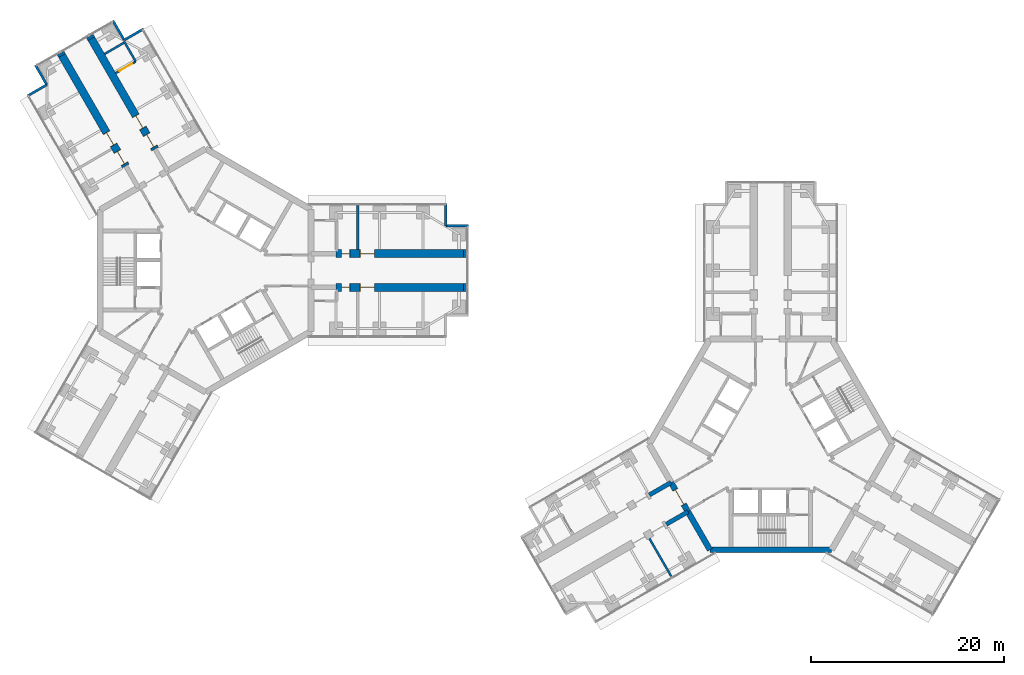
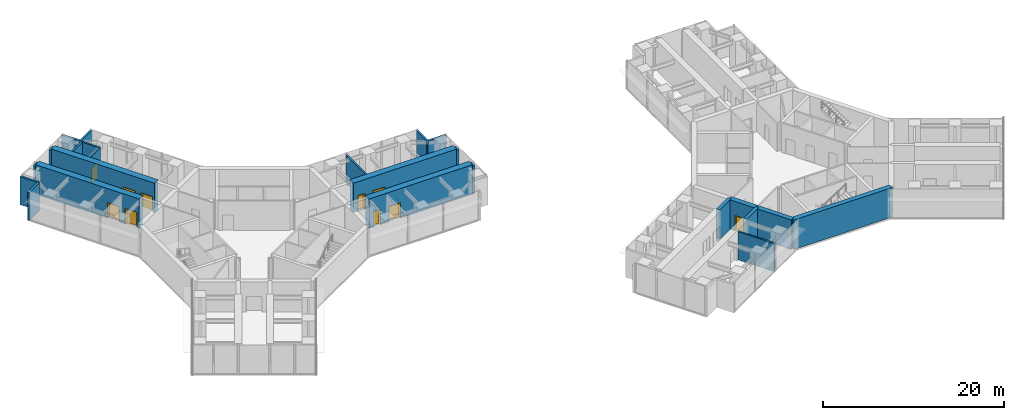
# One storey, part 17 of 21: 24 walls, 10 doors, 10 openings.
"""IFC4 building model written with IfcOpenShell, lengths in metres."""

from ifc_helpers import new_model, si_unit, direction, frame, frame_2d, origin, place, context, subcontext, project, spatial, rectangle, extrude, material, layer, layer_set, type_object, element, fill, save


model = new_model("IFC4")

# Units and contexts
model_context = context("Model", 3, precision=1e-05, world=origin(), true_north=direction((0.0, 1.0)))
body_context = subcontext(model_context, "Body", "Model", "MODEL_VIEW")
ifc_project = project(units=[si_unit("LENGTHUNIT", "METRE"), si_unit("AREAUNIT", "SQUARE_METRE"), si_unit("VOLUMEUNIT", "CUBIC_METRE"), si_unit("PLANEANGLEUNIT", "RADIAN"), si_unit("MASSUNIT", "GRAM", prefix="KILO")], contexts=[model_context])

# Site, building, storey
site_placement = place(None, origin())
site = spatial("IfcSite", under=ifc_project, at=site_placement, CompositionType="ELEMENT")
building_placement = place(site_placement, origin())
building = spatial("IfcBuilding", under=site, at=building_placement, Name="Upepo Twin Towers", CompositionType="ELEMENT")
storey_placement = place(building_placement, frame((0.0, 0.0, 109.5)))
storey = spatial("IfcBuildingStorey", under=building, at=storey_placement, Name="L26", CompositionType="ELEMENT", Elevation=109.5)

# Walls
ifc_material_1 = material(Name="Concrete blockwork, plastered both faces", Category="masonry")
ifc_layer_1 = layer(ifc_material_1, 0.215087890625)
ifc_layer_set_1 = layer_set([ifc_layer_1], Name="Blockwork partition 215")
wall_type_1 = type_object("IfcWallType", Name="Blockwork partition 215", PredefinedType="PARTITIONING", material=ifc_layer_set_1)
wall_1_placement = place(storey_placement, frame((15.75, 2.14990234375, 0.0), z_axis=(0.0, 0.0, 1.0), x_axis=(0.0, 1.0, 0.0)))
element("IfcWall", 1, at=wall_1_placement, inside=storey, type_object=wall_type_1, Name="T1 partition AL at 15.75", PredefinedType="PARTITIONING", context=body_context, shape_type="SweptSolid", body=[
    extrude(rectangle(XDim=4.60009765625, YDim=0.215087890625, at=frame_2d((2.300048828125, 0.0))), origin(), (0.0, 0.0, 1.0), 3.800048828125),
])
wall_2_placement = place(storey_placement, frame((-7.234619140625, 21.630615234375, 0.0), z_axis=(0.0, 0.0, 1.0), x_axis=(-0.499957262057, 0.866050077142, 0.0)))
element("IfcWall", 2, at=wall_2_placement, inside=storey, type_object=wall_type_1, Name="T1 inner room partition BR at 22.35", PredefinedType="PARTITIONING", context=body_context, shape_type="SweptSolid", body=[
    extrude(rectangle(XDim=2.400146484375, YDim=0.215087890625, at=frame_2d((1.2001953125, 0.0))), origin(), (0.0, 0.0, 1.0), 3.800048828125),
])

# Wall, opening, door
wall_3_placement = place(storey_placement, frame((-9.31298828125, 20.4306640625, 0.0), z_axis=(0.0, 0.0, 1.0), x_axis=(0.866024647952, 0.500001309137, 0.0)))
wall_3 = element("IfcWall", 3, at=wall_3_placement, inside=storey, type_object=wall_type_1, Name="T1 inner room partition BR end at 22.35", PredefinedType="PARTITIONING", context=body_context, shape_type="SweptSolid", body=[
    extrude(rectangle(XDim=2.39990234375, YDim=0.215087890625, at=frame_2d((1.199951171875, 0.0))), origin(), (0.0, 0.0, 1.0), 3.800048828125),
])
opening_1_placement = place(wall_3_placement, frame((0.449951171875, 0.0, 0.0)))
opening_1 = element("IfcOpeningElement", 4, at=opening_1_placement, cuts=wall_3, Name="Opening D13", PredefinedType="OPENING", context=body_context, shape_type="SweptSolid", body=[
    extrude(rectangle(XDim=1.5, YDim=2.10009765625, at=frame_2d((0.75, 1.050048828125))), frame((0.0, 0.117431640625, 0.0), z_axis=(0.0, -1.0, 0.0), x_axis=(1.0, 0.0, 0.0)), (0.0, 0.0, 1.0), 0.235107421875),
])
ifc_material_2 = material(Name="Timber doorset", Category="wood")
door_type_1 = type_object("IfcDoorType", Name="Double door 1500 FD30", OperationType="DOUBLE_DOOR_SINGLE_SWING", PredefinedType="DOOR", material=ifc_material_2)
door_1_placement = place(opening_1_placement, origin())
door_1 = element("IfcDoor", 5, at=door_1_placement, inside=storey, type_object=door_type_1, Name="T1 L26 inner room door", OperationType="DOUBLE_DOOR_SINGLE_SWING", OverallHeight=2.10009765625, OverallWidth=1.5, PredefinedType="DOOR", context=body_context, shape_type="SweptSolid", body=[
    extrude(rectangle(XDim=1.5, YDim=2.10009765625, at=frame_2d((0.75, 1.050048828125))), frame((0.0, 0.02490234375, 0.0), z_axis=(0.0, -1.0, 0.0), x_axis=(1.0, 0.0, 0.0)), (0.0, 0.0, 1.0), 0.050048828125),
])
fill(opening_1, door_1)

# Walls
wall_4_placement = place(storey_placement, frame((-10.459228515625, 22.416015625, 0.0), z_axis=(0.0, 0.0, 1.0), x_axis=(0.866024647952, 0.500001309137, 0.0)))
element("IfcWall", 6, at=wall_4_placement, inside=storey, type_object=wall_type_1, Name="T1 inner room partition BR end at 24.75", PredefinedType="PARTITIONING", context=body_context, shape_type="SweptSolid", body=[
    extrude(rectangle(XDim=2.39990234375, YDim=0.215087890625, at=frame_2d((1.199951171875, 0.0))), origin(), (0.0, 0.0, 1.0), 3.800048828125),
])
wall_5_placement = place(storey_placement, frame((45.93505859375, -27.737060546875, 0.0), z_axis=(0.0, 0.0, 1.0), x_axis=(0.500014953309, -0.866016770315, 0.0)))
element("IfcWall", 7, at=wall_5_placement, inside=storey, type_object=wall_type_1, Name="T2 partition BL at 15.75", PredefinedType="PARTITIONING", context=body_context, shape_type="SweptSolid", body=[
    extrude(rectangle(XDim=4.599853515625, YDim=0.215087890625, at=frame_2d((2.2998046875, 0.0))), origin(), (0.0, 0.0, 1.0), 3.800048828125),
])
ifc_material_3 = material(Name="Dense concrete blockwork", Category="masonry")
ifc_layer_2 = layer(ifc_material_3, 0.800048828125)
ifc_layer_set_2 = layer_set([ifc_layer_2], Name="Buttress closer 800, blockwork with fire-stopping to the curtain wall")
wall_type_2 = type_object("IfcWallType", Name="Buttress closer 800, blockwork with fire-stopping to the curtain wall", PredefinedType="PARTITIONING", material=ifc_layer_set_2)
for number, where, z_axis, x_axis, name in (
    (8, (26.699951171875, 1.75, 0.0), (0.0, 0.0, 1.0), (1.0, 0.0, 0.0), "T1 L26 wing A buttress closer L"),
    (9, (26.699951171875, -1.75, 0.0), (0.0, 0.0, 1.0), (1.0, 0.0, 0.0), "T1 L26 wing A buttress closer R"),
    (10, (-14.865478515625, 22.247802734375, 0.0), (0.0, 0.0, 1.0), (-0.500426713919, 0.865778900179, 0.0), "T1 L26 wing B buttress closer L"),
):
    element("IfcWall", number, at=place(storey_placement, frame(where, z_axis=z_axis, x_axis=x_axis)), inside=storey, type_object=wall_type_2, Name=name, PredefinedType="PARTITIONING", context=body_context, shape_type="SweptSolid", body=[
        extrude(rectangle(XDim=0.300048828125, YDim=0.800048828125, at=frame_2d((0.14990234375, 0.0))), origin(), (0.0, 0.0, 1.0), 3.800048828125),
    ])
wall_6_placement = place(storey_placement, frame((-11.83447265625, 23.997802734375, 0.0), z_axis=(0.0, 0.0, 1.0), x_axis=(-0.499816412211, 0.866131372301, 0.0)))
element("IfcWall", 11, at=wall_6_placement, inside=storey, type_object=wall_type_2, Name="T1 L26 wing B buttress closer R", PredefinedType="PARTITIONING", context=body_context, shape_type="SweptSolid", body=[
    extrude(rectangle(XDim=0.2998046875, YDim=0.800048828125, at=frame_2d((0.14990234375, 0.0))), origin(), (0.0, 0.0, 1.0), 3.800048828125),
])
ifc_material_4 = material(Name="Concrete C60/75", Category="concrete")
ifc_layer_3 = layer(ifc_material_4, 0.449951171875)
ifc_layer_set_3 = layer_set([ifc_layer_3], Name="Concrete C60/75")
wall_type_3 = type_object("IfcWallType", Name="Buttress wall 450 RC", PredefinedType="SHEAR", material=ifc_layer_set_3)
for number, where, z_axis, x_axis, name in (
    (12, (49.92822265625, -24.9697265625, 0.0), (0.0, 0.0, 1.0), (-0.866031863473, -0.499988811324, 0.0), "T2 wing B buttress wall L"),
    (13, (48.17822265625, -21.938720703125, 0.0), (0.0, 0.0, 1.0), (-0.866072649678, -0.499918158782, 0.0), "T2 wing B buttress wall R"),
):
    element("IfcWall", number, at=place(storey_placement, frame(where, z_axis=z_axis, x_axis=x_axis)), inside=storey, type_object=wall_type_3, Name=name, PredefinedType="SHEAR", context=body_context, shape_type="SweptSolid", body=[
        extrude(rectangle(XDim=2.591796875, YDim=0.449951171875, at=frame_2d((1.2958984375, 0.0))), origin(), (0.0, 0.0, 1.0), 4.0),
    ])

# Wall, openings, doors
ifc_material_5 = material(Name="Concrete C60/75", Category="concrete")
ifc_layer_4 = layer(ifc_material_5, 0.800048828125)
ifc_layer_set_4 = layer_set([ifc_layer_4], Name="Concrete C60/75")
wall_type_4 = type_object("IfcWallType", Name="Buttress wall 800 RC", PredefinedType="SHEAR", material=ifc_layer_set_4)
wall_7_placement = place(storey_placement, frame((13.5, 1.75, 0.0), z_axis=(0.0, 0.0, 1.0), x_axis=(1.0, 0.0, 0.0)))
wall_7 = element("IfcWall", 14, at=wall_7_placement, inside=storey, type_object=wall_type_4, Name="T1 wing A buttress wall L part 2", PredefinedType="SHEAR", context=body_context, shape_type="SweptSolid", body=[
    extrude(rectangle(XDim=13.199951171875, YDim=0.800048828125, at=frame_2d((6.60009765625, 0.0))), origin(), (0.0, 0.0, 1.0), 4.0),
])
opening_2_placement = place(wall_7_placement, frame((0.550048828125, 0.0, 0.0)))
opening_2 = element("IfcOpeningElement", 15, at=opening_2_placement, cuts=wall_7, Name="Opening D11", PredefinedType="OPENING", context=body_context, shape_type="SweptSolid", body=[
    extrude(rectangle(XDim=0.89990234375, YDim=2.10009765625, at=frame_2d((0.449951171875, 1.050048828125))), frame((0.0, 0.409912109375, 0.0), z_axis=(0.0, -1.0, 0.0), x_axis=(1.0, 0.0, 0.0)), (0.0, 0.0, 1.0), 0.820068359375),
])
opening_3_placement = place(wall_7_placement, frame((2.5, 0.0, 0.0)))
opening_3 = element("IfcOpeningElement", 16, at=opening_3_placement, cuts=wall_7, Name="Opening D13", PredefinedType="OPENING", context=body_context, shape_type="SweptSolid", body=[
    extrude(rectangle(XDim=1.5, YDim=2.10009765625, at=frame_2d((0.75, 1.050048828125))), frame((0.0, 0.409912109375, 0.0), z_axis=(0.0, -1.0, 0.0), x_axis=(1.0, 0.0, 0.0)), (0.0, 0.0, 1.0), 0.820068359375),
])
door_2_placement = place(opening_3_placement, origin())
door_2 = element("IfcDoor", 17, at=door_2_placement, inside=storey, type_object=door_type_1, Name="T1 L26 research laboratory door", OperationType="DOUBLE_DOOR_SINGLE_SWING", OverallHeight=2.10009765625, OverallWidth=1.5, PredefinedType="DOOR", context=body_context, shape_type="SweptSolid", body=[
    extrude(rectangle(XDim=1.42, YDim=2.06009765625, at=frame_2d((0.75, 1.030029296875))), frame((0.0, 0.02490234375, 0.0), z_axis=(0.0, -1.0, 0.0), x_axis=(1.0, 0.0, 0.0)), (0.0, 0.0, 1.0), 0.050048828125),
    extrude(rectangle(XDim=0.04, YDim=2.10009765625, at=frame_2d((0.02001953125, 1.050048828125))), frame((0.0, 0.39990234375, 0.0), z_axis=(0.0, -1.0, 0.0), x_axis=(1.0, 0.0, 0.0)), (0.0, 0.0, 1.0), 0.799560546875),
    extrude(rectangle(XDim=0.04, YDim=2.10009765625, at=frame_2d((1.47998046875, 1.050048828125))), frame((0.0, 0.39990234375, 0.0), z_axis=(0.0, -1.0, 0.0), x_axis=(1.0, 0.0, 0.0)), (0.0, 0.0, 1.0), 0.799560546875),
    extrude(rectangle(XDim=1.42, YDim=0.04, at=frame_2d((0.75, 2.080078125))), frame((0.0, 0.39990234375, 0.0), z_axis=(0.0, -1.0, 0.0), x_axis=(1.0, 0.0, 0.0)), (0.0, 0.0, 1.0), 0.799560546875),
])
fill(opening_3, door_2)
ifc_material_6 = material(Name="Timber doorset", Category="wood")
door_type_2 = type_object("IfcDoorType", Name="Toilet door 900", OperationType="SINGLE_SWING_LEFT", PredefinedType="DOOR", material=ifc_material_6)
door_3_placement = place(opening_2_placement, origin())
door_3 = element("IfcDoor", 18, at=door_3_placement, inside=storey, type_object=door_type_2, Name="T1 L26 accessible wc door", OperationType="SINGLE_SWING_LEFT", OverallHeight=2.10009765625, OverallWidth=0.89990234375, PredefinedType="DOOR", context=body_context, shape_type="SweptSolid", body=[
    extrude(rectangle(XDim=0.81990234375, YDim=2.06009765625, at=frame_2d((0.449951171875, 1.030029296875))), frame((0.0, 0.02490234375, 0.0), z_axis=(0.0, -1.0, 0.0), x_axis=(1.0, 0.0, 0.0)), (0.0, 0.0, 1.0), 0.050048828125),
    extrude(rectangle(XDim=0.04, YDim=2.10009765625, at=frame_2d((0.02001953125, 1.050048828125))), frame((0.0, 0.39990234375, 0.0), z_axis=(0.0, -1.0, 0.0), x_axis=(1.0, 0.0, 0.0)), (0.0, 0.0, 1.0), 0.799560546875),
    extrude(rectangle(XDim=0.04, YDim=2.10009765625, at=frame_2d((0.8798828125, 1.050048828125))), frame((0.0, 0.39990234375, 0.0), z_axis=(0.0, -1.0, 0.0), x_axis=(1.0, 0.0, 0.0)), (0.0, 0.0, 1.0), 0.799560546875),
    extrude(rectangle(XDim=0.81990234375, YDim=0.04, at=frame_2d((0.449951171875, 2.080078125))), frame((0.0, 0.39990234375, 0.0), z_axis=(0.0, -1.0, 0.0), x_axis=(1.0, 0.0, 0.0)), (0.0, 0.0, 1.0), 0.799560546875),
])
fill(opening_2, door_3)

wall_8_placement = place(storey_placement, frame((13.5, -1.75, 0.0), z_axis=(0.0, 0.0, 1.0), x_axis=(1.0, 0.0, 0.0)))
wall_8 = element("IfcWall", 19, at=wall_8_placement, inside=storey, type_object=wall_type_4, Name="T1 wing A buttress wall R part 2", PredefinedType="SHEAR", context=body_context, shape_type="SweptSolid", body=[
    extrude(rectangle(XDim=13.199951171875, YDim=0.800048828125, at=frame_2d((6.60009765625, 0.0))), origin(), (0.0, 0.0, 1.0), 4.0),
])
opening_4_placement = place(wall_8_placement, frame((0.550048828125, 0.0, 0.0)))
opening_4 = element("IfcOpeningElement", 20, at=opening_4_placement, cuts=wall_8, Name="Opening D11", PredefinedType="OPENING", context=body_context, shape_type="SweptSolid", body=[
    extrude(rectangle(XDim=0.89990234375, YDim=2.10009765625, at=frame_2d((0.449951171875, 1.050048828125))), frame((0.0, 0.409912109375, 0.0), z_axis=(0.0, -1.0, 0.0), x_axis=(1.0, 0.0, 0.0)), (0.0, 0.0, 1.0), 0.820068359375),
])
opening_5_placement = place(wall_8_placement, frame((2.5, 0.0, 0.0)))
opening_5 = element("IfcOpeningElement", 21, at=opening_5_placement, cuts=wall_8, Name="Opening D13", PredefinedType="OPENING", context=body_context, shape_type="SweptSolid", body=[
    extrude(rectangle(XDim=1.5, YDim=2.10009765625, at=frame_2d((0.75, 1.050048828125))), frame((0.0, 0.409912109375, 0.0), z_axis=(0.0, -1.0, 0.0), x_axis=(1.0, 0.0, 0.0)), (0.0, 0.0, 1.0), 0.820068359375),
])
door_4_placement = place(opening_5_placement, origin())
door_4 = element("IfcDoor", 22, at=door_4_placement, inside=storey, type_object=door_type_1, Name="T1 L26 research laboratory door", OperationType="DOUBLE_DOOR_SINGLE_SWING", OverallHeight=2.10009765625, OverallWidth=1.5, PredefinedType="DOOR", context=body_context, shape_type="SweptSolid", body=[
    extrude(rectangle(XDim=1.42, YDim=2.06009765625, at=frame_2d((0.75, 1.030029296875))), frame((0.0, 0.02490234375, 0.0), z_axis=(0.0, -1.0, 0.0), x_axis=(1.0, 0.0, 0.0)), (0.0, 0.0, 1.0), 0.050048828125),
    extrude(rectangle(XDim=0.04, YDim=2.10009765625, at=frame_2d((0.02001953125, 1.050048828125))), frame((0.0, 0.39990234375, 0.0), z_axis=(0.0, -1.0, 0.0), x_axis=(1.0, 0.0, 0.0)), (0.0, 0.0, 1.0), 0.799560546875),
    extrude(rectangle(XDim=0.04, YDim=2.10009765625, at=frame_2d((1.47998046875, 1.050048828125))), frame((0.0, 0.39990234375, 0.0), z_axis=(0.0, -1.0, 0.0), x_axis=(1.0, 0.0, 0.0)), (0.0, 0.0, 1.0), 0.799560546875),
    extrude(rectangle(XDim=1.42, YDim=0.04, at=frame_2d((0.75, 2.080078125))), frame((0.0, 0.39990234375, 0.0), z_axis=(0.0, -1.0, 0.0), x_axis=(1.0, 0.0, 0.0)), (0.0, 0.0, 1.0), 0.799560546875),
])
fill(opening_5, door_4)
door_5_placement = place(opening_4_placement, origin())
door_5 = element("IfcDoor", 23, at=door_5_placement, inside=storey, type_object=door_type_2, Name="T1 L26 toilets door", OperationType="SINGLE_SWING_LEFT", OverallHeight=2.10009765625, OverallWidth=0.89990234375, PredefinedType="DOOR", context=body_context, shape_type="SweptSolid", body=[
    extrude(rectangle(XDim=0.81990234375, YDim=2.06009765625, at=frame_2d((0.449951171875, 1.030029296875))), frame((0.0, 0.02490234375, 0.0), z_axis=(0.0, -1.0, 0.0), x_axis=(1.0, 0.0, 0.0)), (0.0, 0.0, 1.0), 0.050048828125),
    extrude(rectangle(XDim=0.04, YDim=2.10009765625, at=frame_2d((0.02001953125, 1.050048828125))), frame((0.0, 0.39990234375, 0.0), z_axis=(0.0, -1.0, 0.0), x_axis=(1.0, 0.0, 0.0)), (0.0, 0.0, 1.0), 0.799560546875),
    extrude(rectangle(XDim=0.04, YDim=2.10009765625, at=frame_2d((0.8798828125, 1.050048828125))), frame((0.0, 0.39990234375, 0.0), z_axis=(0.0, -1.0, 0.0), x_axis=(1.0, 0.0, 0.0)), (0.0, 0.0, 1.0), 0.799560546875),
    extrude(rectangle(XDim=0.81990234375, YDim=0.04, at=frame_2d((0.449951171875, 2.080078125))), frame((0.0, 0.39990234375, 0.0), z_axis=(0.0, -1.0, 0.0), x_axis=(1.0, 0.0, 0.0)), (0.0, 0.0, 1.0), 0.799560546875),
])
fill(opening_4, door_5)

wall_9_placement = place(storey_placement, frame((-8.265625, 10.81640625, 0.0), z_axis=(0.0, 0.0, 1.0), x_axis=(-0.499996231654, 0.866027579429, 0.0)))
wall_9 = element("IfcWall", 24, at=wall_9_placement, inside=storey, type_object=wall_type_4, Name="T1 wing B buttress wall L part 2", PredefinedType="SHEAR", context=body_context, shape_type="SweptSolid", body=[
    extrude(rectangle(XDim=13.19970703125, YDim=0.800048828125, at=frame_2d((6.599853515625, 0.0))), origin(), (0.0, 0.0, 1.0), 4.0),
])
opening_6_placement = place(wall_9_placement, frame((0.25, 0.0, 0.0)))
opening_6 = element("IfcOpeningElement", 25, at=opening_6_placement, cuts=wall_9, Name="Opening D13", PredefinedType="OPENING", context=body_context, shape_type="SweptSolid", body=[
    extrude(rectangle(XDim=1.5, YDim=2.10009765625, at=frame_2d((0.75, 1.050048828125))), frame((0.0, 0.409912109375, 0.0), z_axis=(0.0, -1.0, 0.0), x_axis=(1.0, 0.0, 0.0)), (0.0, 0.0, 1.0), 0.820068359375),
])
opening_7_placement = place(wall_9_placement, frame((2.5, 0.0, 0.0)))
opening_7 = element("IfcOpeningElement", 26, at=opening_7_placement, cuts=wall_9, Name="Opening D13", PredefinedType="OPENING", context=body_context, shape_type="SweptSolid", body=[
    extrude(rectangle(XDim=1.5, YDim=2.10009765625, at=frame_2d((0.75, 1.050048828125))), frame((0.0, 0.409912109375, 0.0), z_axis=(0.0, -1.0, 0.0), x_axis=(1.0, 0.0, 0.0)), (0.0, 0.0, 1.0), 0.820068359375),
])
door_6_placement = place(opening_6_placement, origin())
door_6 = element("IfcDoor", 27, at=door_6_placement, inside=storey, type_object=door_type_1, Name="T1 L26 instrument room door", OperationType="DOUBLE_DOOR_SINGLE_SWING", OverallHeight=2.10009765625, OverallWidth=1.5, PredefinedType="DOOR", context=body_context, shape_type="SweptSolid", body=[
    extrude(rectangle(XDim=1.42, YDim=2.06009765625, at=frame_2d((0.75, 1.030029296875))), frame((0.0, 0.02490234375, 0.0), z_axis=(0.0, -1.0, 0.0), x_axis=(1.0, 0.0, 0.0)), (0.0, 0.0, 1.0), 0.050048828125),
    extrude(rectangle(XDim=0.04, YDim=2.10009765625, at=frame_2d((0.02001953125, 1.050048828125))), frame((0.0, 0.39990234375, 0.0), z_axis=(0.0, -1.0, 0.0), x_axis=(1.0, 0.0, 0.0)), (0.0, 0.0, 1.0), 0.799560546875),
    extrude(rectangle(XDim=0.04, YDim=2.10009765625, at=frame_2d((1.47998046875, 1.050048828125))), frame((0.0, 0.39990234375, 0.0), z_axis=(0.0, -1.0, 0.0), x_axis=(1.0, 0.0, 0.0)), (0.0, 0.0, 1.0), 0.799560546875),
    extrude(rectangle(XDim=1.42, YDim=0.04, at=frame_2d((0.75, 2.080078125))), frame((0.0, 0.39990234375, 0.0), z_axis=(0.0, -1.0, 0.0), x_axis=(1.0, 0.0, 0.0)), (0.0, 0.0, 1.0), 0.799560546875),
])
fill(opening_6, door_6)
door_7_placement = place(opening_7_placement, origin())
door_7 = element("IfcDoor", 28, at=door_7_placement, inside=storey, type_object=door_type_1, Name="T1 L26 research laboratory door", OperationType="DOUBLE_DOOR_SINGLE_SWING", OverallHeight=2.10009765625, OverallWidth=1.5, PredefinedType="DOOR", context=body_context, shape_type="SweptSolid", body=[
    extrude(rectangle(XDim=1.42, YDim=2.06009765625, at=frame_2d((0.75, 1.030029296875))), frame((0.0, 0.02490234375, 0.0), z_axis=(0.0, -1.0, 0.0), x_axis=(1.0, 0.0, 0.0)), (0.0, 0.0, 1.0), 0.050048828125),
    extrude(rectangle(XDim=0.04, YDim=2.10009765625, at=frame_2d((0.02001953125, 1.050048828125))), frame((0.0, 0.39990234375, 0.0), z_axis=(0.0, -1.0, 0.0), x_axis=(1.0, 0.0, 0.0)), (0.0, 0.0, 1.0), 0.799560546875),
    extrude(rectangle(XDim=0.04, YDim=2.10009765625, at=frame_2d((1.47998046875, 1.050048828125))), frame((0.0, 0.39990234375, 0.0), z_axis=(0.0, -1.0, 0.0), x_axis=(1.0, 0.0, 0.0)), (0.0, 0.0, 1.0), 0.799560546875),
    extrude(rectangle(XDim=1.42, YDim=0.04, at=frame_2d((0.75, 2.080078125))), frame((0.0, 0.39990234375, 0.0), z_axis=(0.0, -1.0, 0.0), x_axis=(1.0, 0.0, 0.0)), (0.0, 0.0, 1.0), 0.799560546875),
])
fill(opening_7, door_7)

wall_10_placement = place(storey_placement, frame((-5.234375, 12.56640625, 0.0), z_axis=(0.0, 0.0, 1.0), x_axis=(-0.500010103361, 0.866019570528, 0.0)))
wall_10 = element("IfcWall", 29, at=wall_10_placement, inside=storey, type_object=wall_type_4, Name="T1 wing B buttress wall R part 2", PredefinedType="SHEAR", context=body_context, shape_type="SweptSolid", body=[
    extrude(rectangle(XDim=13.199951171875, YDim=0.800048828125, at=frame_2d((6.60009765625, 0.0))), origin(), (0.0, 0.0, 1.0), 4.0),
])
opening_8_placement = place(wall_10_placement, frame((0.25, 0.0, 0.0)))
opening_8 = element("IfcOpeningElement", 30, at=opening_8_placement, cuts=wall_10, Name="Opening D13", PredefinedType="OPENING", context=body_context, shape_type="SweptSolid", body=[
    extrude(rectangle(XDim=1.5, YDim=2.10009765625, at=frame_2d((0.75, 1.050048828125))), frame((0.0, 0.409912109375, 0.0), z_axis=(0.0, -1.0, 0.0), x_axis=(1.0, 0.0, 0.0)), (0.0, 0.0, 1.0), 0.820068359375),
])
opening_9_placement = place(wall_10_placement, frame((2.5, 0.0, 0.0)))
opening_9 = element("IfcOpeningElement", 31, at=opening_9_placement, cuts=wall_10, Name="Opening D13", PredefinedType="OPENING", context=body_context, shape_type="SweptSolid", body=[
    extrude(rectangle(XDim=1.5, YDim=2.10009765625, at=frame_2d((0.75, 1.050048828125))), frame((0.0, 0.409912109375, 0.0), z_axis=(0.0, -1.0, 0.0), x_axis=(1.0, 0.0, 0.0)), (0.0, 0.0, 1.0), 0.820068359375),
])
door_8_placement = place(opening_8_placement, origin())
door_8 = element("IfcDoor", 32, at=door_8_placement, inside=storey, type_object=door_type_1, Name="T1 L26 research laboratory door", OperationType="DOUBLE_DOOR_SINGLE_SWING", OverallHeight=2.10009765625, OverallWidth=1.5, PredefinedType="DOOR", context=body_context, shape_type="SweptSolid", body=[
    extrude(rectangle(XDim=1.42, YDim=2.06009765625, at=frame_2d((0.75, 1.030029296875))), frame((0.0, 0.02490234375, 0.0), z_axis=(0.0, -1.0, 0.0), x_axis=(1.0, 0.0, 0.0)), (0.0, 0.0, 1.0), 0.050048828125),
    extrude(rectangle(XDim=0.04, YDim=2.10009765625, at=frame_2d((0.02001953125, 1.050048828125))), frame((0.0, 0.39990234375, 0.0), z_axis=(0.0, -1.0, 0.0), x_axis=(1.0, 0.0, 0.0)), (0.0, 0.0, 1.0), 0.799560546875),
    extrude(rectangle(XDim=0.04, YDim=2.10009765625, at=frame_2d((1.47998046875, 1.050048828125))), frame((0.0, 0.39990234375, 0.0), z_axis=(0.0, -1.0, 0.0), x_axis=(1.0, 0.0, 0.0)), (0.0, 0.0, 1.0), 0.799560546875),
    extrude(rectangle(XDim=1.42, YDim=0.04, at=frame_2d((0.75, 2.080078125))), frame((0.0, 0.39990234375, 0.0), z_axis=(0.0, -1.0, 0.0), x_axis=(1.0, 0.0, 0.0)), (0.0, 0.0, 1.0), 0.799560546875),
])
fill(opening_8, door_8)
door_9_placement = place(opening_9_placement, origin())
door_9 = element("IfcDoor", 33, at=door_9_placement, inside=storey, type_object=door_type_1, Name="T1 L26 research laboratory door", OperationType="DOUBLE_DOOR_SINGLE_SWING", OverallHeight=2.10009765625, OverallWidth=1.5, PredefinedType="DOOR", context=body_context, shape_type="SweptSolid", body=[
    extrude(rectangle(XDim=1.42, YDim=2.06009765625, at=frame_2d((0.75, 1.030029296875))), frame((0.0, 0.02490234375, 0.0), z_axis=(0.0, -1.0, 0.0), x_axis=(1.0, 0.0, 0.0)), (0.0, 0.0, 1.0), 0.050048828125),
    extrude(rectangle(XDim=0.04, YDim=2.10009765625, at=frame_2d((0.02001953125, 1.050048828125))), frame((0.0, 0.39990234375, 0.0), z_axis=(0.0, -1.0, 0.0), x_axis=(1.0, 0.0, 0.0)), (0.0, 0.0, 1.0), 0.799560546875),
    extrude(rectangle(XDim=0.04, YDim=2.10009765625, at=frame_2d((1.47998046875, 1.050048828125))), frame((0.0, 0.39990234375, 0.0), z_axis=(0.0, -1.0, 0.0), x_axis=(1.0, 0.0, 0.0)), (0.0, 0.0, 1.0), 0.799560546875),
    extrude(rectangle(XDim=1.42, YDim=0.04, at=frame_2d((0.75, 2.080078125))), frame((0.0, 0.39990234375, 0.0), z_axis=(0.0, -1.0, 0.0), x_axis=(1.0, 0.0, 0.0)), (0.0, 0.0, 1.0), 0.799560546875),
])
fill(opening_9, door_9)

# Wall, opening, door
ifc_material_7 = material(Name="Concrete C60/75", Category="concrete")
ifc_layer_5 = layer(ifc_material_7, 0.60009765625)
ifc_layer_set_5 = layer_set([ifc_layer_5], Name="Concrete C60/75")
wall_type_5 = type_object("IfcWallType", Name="Core wall 600 RC", PredefinedType="SHEAR", material=ifc_layer_set_5)
wall_11_placement = place(storey_placement, frame((48.17822265625, -21.938720703125, 0.0), z_axis=(0.0, 0.0, 1.0), x_axis=(0.500010275428, -0.866019471182, 0.0)))
wall_11 = element("IfcWall", 34, at=wall_11_placement, inside=storey, type_object=wall_type_5, Name="T2 core wall 120", PredefinedType="SHEAR", context=body_context, shape_type="SweptSolid", body=[
    extrude(rectangle(XDim=3.5, YDim=0.60009765625, at=frame_2d((1.75, 0.0))), origin(), (0.0, 0.0, 1.0), 4.0),
])
opening_10_placement = place(wall_11_placement, frame((0.85009765625, 0.0, 0.0)))
opening_10 = element("IfcOpeningElement", 35, at=opening_10_placement, cuts=wall_11, Name="Opening D2", PredefinedType="OPENING", context=body_context, shape_type="SweptSolid", body=[
    extrude(rectangle(XDim=1.800048828125, YDim=2.10009765625, at=frame_2d((0.89990234375, 1.050048828125))), frame((0.0, 0.31005859375, 0.0), z_axis=(0.0, -1.0, 0.0), x_axis=(1.0, 0.0, 0.0)), (0.0, 0.0, 1.0), 0.6201171875),
])
ifc_material_8 = material(Name="Timber doorset", Category="wood")
door_type_3 = type_object("IfcDoorType", Name="Corridor double door 1800 FD60", OperationType="DOUBLE_DOOR_DOUBLE_SWING", PredefinedType="DOOR", material=ifc_material_8)
door_10_placement = place(opening_10_placement, origin())
door_10 = element("IfcDoor", 36, at=door_10_placement, inside=storey, type_object=door_type_3, Name="T2 L26 wing B corridor door", OperationType="DOUBLE_DOOR_DOUBLE_SWING", OverallHeight=2.10009765625, OverallWidth=1.800048828125, PredefinedType="DOOR", context=body_context, shape_type="SweptSolid", body=[
    extrude(rectangle(XDim=1.720048828125, YDim=2.06009765625, at=frame_2d((0.89990234375, 1.030029296875))), frame((0.0, 0.02490234375, 0.0), z_axis=(0.0, -1.0, 0.0), x_axis=(1.0, 0.0, 0.0)), (0.0, 0.0, 1.0), 0.050048828125),
    extrude(rectangle(XDim=0.04, YDim=2.10009765625, at=frame_2d((0.02001953125, 1.050048828125))), frame((0.0, 0.2998046875, 0.0), z_axis=(0.0, -1.0, 0.0), x_axis=(1.0, 0.0, 0.0)), (0.0, 0.0, 1.0), 0.599609375),
    extrude(rectangle(XDim=0.04, YDim=2.10009765625, at=frame_2d((1.780029296875, 1.050048828125))), frame((0.0, 0.2998046875, 0.0), z_axis=(0.0, -1.0, 0.0), x_axis=(1.0, 0.0, 0.0)), (0.0, 0.0, 1.0), 0.599609375),
    extrude(rectangle(XDim=1.720048828125, YDim=0.04, at=frame_2d((0.89990234375, 2.080078125))), frame((0.0, 0.2998046875, 0.0), z_axis=(0.0, -1.0, 0.0), x_axis=(1.0, 0.0, 0.0)), (0.0, 0.0, 1.0), 0.599609375),
])
fill(opening_10, door_10)

# Walls
wall_12_placement = place(storey_placement, frame((49.92822265625, -24.9697265625, 0.0), z_axis=(0.0, 0.0, 1.0), x_axis=(0.499984222037, -0.866034513004, 0.0)))
element("IfcWall", 37, at=wall_12_placement, inside=storey, type_object=wall_type_5, Name="T2 core wall 120 L", PredefinedType="SHEAR", context=body_context, shape_type="SweptSolid", body=[
    extrude(rectangle(XDim=4.548095703125, YDim=0.60009765625, at=frame_2d((2.27392578125, 0.0))), origin(), (0.0, 0.0, 1.0), 4.0),
])
wall_13_placement = place(storey_placement, frame((52.2021484375, -28.908447265625, 0.0), z_axis=(0.0, 0.0, 1.0), x_axis=(1.0, 0.0, 0.0)))
element("IfcWall", 38, at=wall_13_placement, inside=storey, type_object=wall_type_5, Name="T2 core wall 180", PredefinedType="SHEAR", context=body_context, shape_type="SweptSolid", body=[
    extrude(rectangle(XDim=12.595703125, YDim=0.60009765625, at=frame_2d((6.2978515625, 0.0))), origin(), (0.0, 0.0, 1.0), 4.0),
])
ifc_material_9 = material(Name="Blockwork with anodised aluminium cladding", Category="masonry")
ifc_layer_6 = layer(ifc_material_9, 0.25)
ifc_layer_set_6 = layer_set([ifc_layer_6], Name="Notch cladding wall 250, pale metal")
wall_type_6 = type_object("IfcWallType", Name="Notch cladding wall 250, pale metal", PredefinedType="STANDARD", material=ifc_layer_set_6)
for number, where, z_axis, x_axis, name in (
    (39, (24.875, 6.949951171875, 0.0), (0.0, 0.0, 1.0), (0.0, -1.0, 0.0), "T1 L26 wing A notch wall L1"),
    (40, (24.875, 4.625, 0.0), (0.0, 0.0, 1.0), (1.0, 0.0, 0.0), "T1 L26 wing A notch wall L2"),
    (41, (-18.456298828125, 18.0673828125, 0.0), (0.0, 0.0, 1.0), (0.865998469481, 0.500046648681, 0.0), "T1 L26 wing B notch wall L1"),
    (42, (-16.44287109375, 19.22998046875, 0.0), (0.0, 0.0, 1.0), (-0.500046648681, 0.865998469481, 0.0), "T1 L26 wing B notch wall L2"),
    (43, (-6.418701171875, 25.017333984375, 0.0), (0.0, 0.0, 1.0), (-0.866043940782, -0.499967891604, 0.0), "T1 L26 wing B notch wall R1"),
    (44, (-8.43212890625, 23.85498046875, 0.0), (0.0, 0.0, 1.0), (-0.500046648681, 0.865998469481, 0.0), "T1 L26 wing B notch wall R2"),
):
    element("IfcWall", number, at=place(storey_placement, frame(where, z_axis=z_axis, x_axis=x_axis)), inside=storey, type_object=wall_type_6, Name=name, PredefinedType="STANDARD", context=body_context, shape_type="SweptSolid", body=[
        extrude(rectangle(XDim=2.324951171875, YDim=0.25, at=frame_2d((1.16259765625, 0.0))), origin(), (0.0, 0.0, 1.0), 3.800048828125),
    ])

save(model, "model.ifc")
